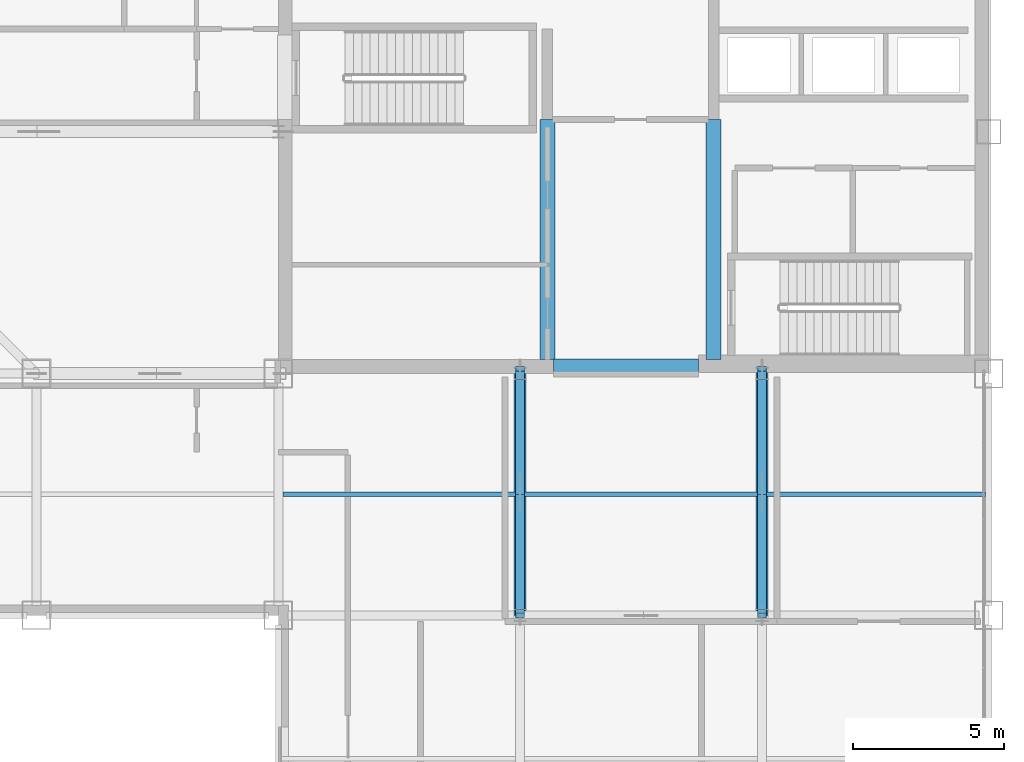
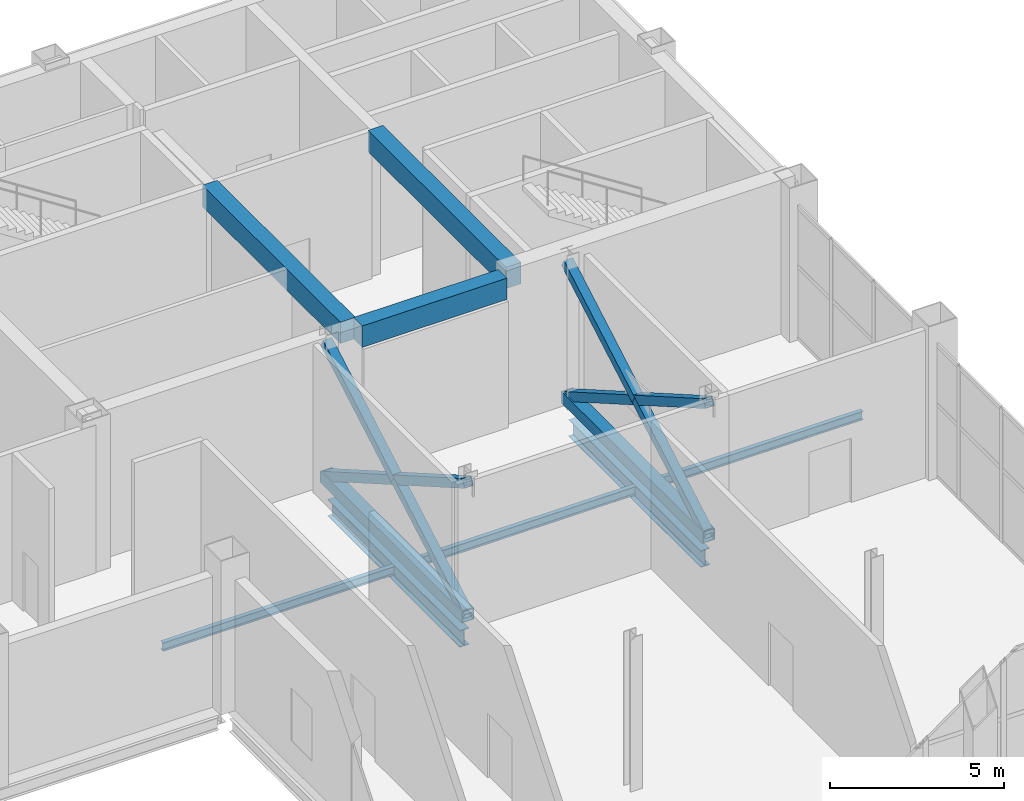
# One storey, part 13 of 23: 8 beams, 8 members.
"""IFC4 building model written with IfcOpenShell, lengths in metres."""

from ifc_helpers import new_model, si_unit, direction, frame, origin, origin_2d, place, context, subcontext, project, spatial, rectangle, hollow_rectangle, i_section, extrude, material, material_profile, profile_set, type_object, element, save


model = new_model("IFC4")

# Units and contexts
model_context = context("Model", 3, precision=1e-05, world=origin(), true_north=direction((0.0, 1.0)))
body_context = subcontext(model_context, "Body", "Model", "MODEL_VIEW")
ifc_project = project(units=[si_unit("LENGTHUNIT", "METRE"), si_unit("AREAUNIT", "SQUARE_METRE"), si_unit("VOLUMEUNIT", "CUBIC_METRE"), si_unit("PLANEANGLEUNIT", "RADIAN"), si_unit("MASSUNIT", "GRAM", prefix="KILO")], contexts=[model_context])

# Site, building, storey
site_placement = place(None, origin())
site = spatial("IfcSite", under=ifc_project, at=site_placement, CompositionType="ELEMENT")
building_placement = place(site_placement, origin())
building = spatial("IfcBuilding", under=site, at=building_placement, Name="Qianrong Seaharbour Tower", CompositionType="ELEMENT")
storey_placement = place(building_placement, frame((0.0, 0.0, 281.800048828125)))
storey = spatial("IfcBuildingStorey", under=building, at=storey_placement, Name="L68", CompositionType="ELEMENT", Elevation=281.800048828125)

# Beams
ifc_material_1 = material(Name="Structural steel SN490B", Category="steel")
ifc_material_profile_1 = material_profile(ifc_material_1, i_section(OverallWidth=0.300048828125, OverallDepth=0.587890625, WebThickness=0.011962890625, FlangeThickness=0.02001953125, FilletRadius=0.02392578125, at=origin_2d()), Name="H588x300x12x20")
ifc_profile_set_1 = profile_set([ifc_material_profile_1], Name="Structural steel SN490B")
beam_type_1 = type_object("IfcBeamType", Name="BM-G-588", PredefinedType="BEAM", material=ifc_profile_set_1)
for number, where, z_axis, x_axis, name in (
    (1, (48.5, 28.199951171875, -0.64404296875), (0.0, 1.0, 0.0), (-1.0, 0.0, 0.0), "L68 Primary Girder G7 GE-GF"),
    (2, (56.5, 28.199951171875, -0.64404296875), (0.0, 1.0, 0.0), (-1.0, 0.0, 0.0), "L68 Primary Girder G8 GE-GF"),
):
    element("IfcBeam", number, at=place(storey_placement, frame(where, z_axis=z_axis, x_axis=x_axis)), inside=storey, type_object=beam_type_1, Name=name, PredefinedType="BEAM", context=body_context, shape_type="SweptSolid", body=[
        extrude(i_section(OverallWidth=0.300048828125, OverallDepth=0.587890625, WebThickness=0.011962890625, FlangeThickness=0.02001953125, FilletRadius=0.02392578125, at=origin_2d()), origin(), (0.0, 0.0, 1.0), 7.60009765625),
    ])
ifc_material_2 = material(Name="Structural steel SN400B", Category="steel")
ifc_material_profile_2 = material_profile(ifc_material_2, i_section(OverallWidth=0.14990234375, OverallDepth=0.300048828125, WebThickness=0.006591796875, FlangeThickness=0.009033203125, FilletRadius=0.012939453125, at=origin_2d()), Name="H300x150x6.5x9")
ifc_profile_set_2 = profile_set([ifc_material_profile_2], Name="Structural steel SN400B")
beam_type_2 = type_object("IfcBeamType", Name="BM-J-300", PredefinedType="JOIST", material=ifc_profile_set_2)
for number, where, z_axis, x_axis, name in (
    (3, (40.64990234375, 32.0, -0.5), (1.0, 0.0, 0.0), (0.0, 1.0, 0.0), "L68 Composite Floor Joist G6-G7/GE-GF"),
    (4, (48.64990234375, 32.0, -0.5), (1.0, 0.0, 0.0), (0.0, 1.0, 0.0), "L68 Composite Floor Joist G7-G8/GE-GF"),
):
    element("IfcBeam", number, at=place(storey_placement, frame(where, z_axis=z_axis, x_axis=x_axis)), inside=storey, type_object=beam_type_2, Name=name, PredefinedType="JOIST", context=body_context, shape_type="SweptSolid", body=[
        extrude(i_section(OverallWidth=0.14990234375, OverallDepth=0.300048828125, WebThickness=0.006591796875, FlangeThickness=0.009033203125, FilletRadius=0.012939453125, at=origin_2d()), origin(), (0.0, 0.0, 1.0), 7.7001953125),
    ])
beam_1_placement = place(storey_placement, frame((56.64990234375, 32.0, -0.5), z_axis=(1.0, 0.0, 0.0), x_axis=(0.0, 1.0, 0.0)))
element("IfcBeam", 5, at=beam_1_placement, inside=storey, type_object=beam_type_2, Name="L68 Composite Floor Joist G8-G9/GE-GF", PredefinedType="JOIST", context=body_context, shape_type="SweptSolid", body=[
    extrude(i_section(OverallWidth=0.14990234375, OverallDepth=0.300048828125, WebThickness=0.006591796875, FlangeThickness=0.009033203125, FilletRadius=0.012939453125, at=origin_2d()), origin(), (0.0, 0.0, 1.0), 7.25),
])
ifc_material_3 = material(Name="Concrete C60/75", Category="concrete")
ifc_material_profile_3 = material_profile(ifc_material_3, rectangle(XDim=0.5, YDim=0.75, at=origin_2d()), Name="RC500x750")
ifc_profile_set_3 = profile_set([ifc_material_profile_3], Name="Concrete C60/75")
beam_type_3 = type_object("IfcBeamType", Name="BM-LINTEL-750", PredefinedType="LINTEL", material=ifc_profile_set_3)
beam_2_placement = place(storey_placement, frame((49.60009765625, 36.22998046875, 4.81005859375), z_axis=(1.0, 0.0, 0.0), x_axis=(0.0, 1.0, 0.0)))
element("IfcBeam", 6, at=beam_2_placement, inside=storey, type_object=beam_type_3, Name="L68 Core Coupling Lintel Beam CBC", PredefinedType="LINTEL", context=body_context, shape_type="SweptSolid", body=[
    extrude(rectangle(XDim=0.5, YDim=0.75, at=origin_2d()), origin(), (0.0, 0.0, 1.0), 4.7998046875),
])
for number, where, z_axis, x_axis, name in (
    (7, (49.39990234375, 36.4599609375, 4.81005859375), (0.0, 1.0, 0.0), (-1.0, 0.0, 0.0), "L68 Internal Core Coupling Beam IW1"),
    (8, (54.89990234375, 36.4599609375, 4.81005859375), (0.0, 1.0, 0.0), (-1.0, 0.0, 0.0), "L68 Internal Core Coupling Beam IW2"),
):
    element("IfcBeam", number, at=place(storey_placement, frame(where, z_axis=z_axis, x_axis=x_axis)), inside=storey, type_object=beam_type_3, Name=name, PredefinedType="LINTEL", context=body_context, shape_type="SweptSolid", body=[
        extrude(rectangle(XDim=0.5, YDim=0.75, at=origin_2d()), origin(), (0.0, 0.0, 1.0), 7.93994140625),
    ])

# Members
ifc_material_profile_4 = material_profile(ifc_material_1, hollow_rectangle(XDim=0.300048828125, YDim=0.300048828125, WallThickness=0.011962890625, at=origin_2d()), Name="SHS300x300x12")
ifc_profile_set_4 = profile_set([ifc_material_profile_4], Name="Structural steel SN490B")
member_type_1 = type_object("IfcMemberType", Name="MEM-BT-SHS300", PredefinedType="BRACE", material=ifc_profile_set_4)
member_1_placement = place(storey_placement, frame((48.5, 36.14990234375, 0.25), z_axis=(0.0, -0.866958483953, 0.498380363881), x_axis=(1.0, 0.0, 0.0)))
element("IfcMember", 9, at=member_1_placement, inside=storey, type_object=member_type_1, Name="L68 Outrigger Belt Truss Diagonal Brace OT-07", PredefinedType="BRACE", context=body_context, shape_type="SweptSolid", body=[
    extrude(hollow_rectangle(XDim=0.300048828125, YDim=0.300048828125, WallThickness=0.011962890625, at=origin_2d()), origin(), (0.0, 0.0, 1.0), 9.400634765625),
])
for number, where, z_axis, x_axis, name in (
    (10, (48.5, 36.14990234375, 4.93505859375), (0.0, -0.866958483953, -0.498380363881), (1.0, 0.0, 0.0), "L68 Outrigger Belt Truss Diagonal Brace OT-08"),
    (11, (48.5, 32.074951171875, 2.592529296875), (0.0, -0.866958483953, -0.498380363881), (1.0, 0.0, 0.0), "L68 Outrigger Belt Truss Diagonal Brace OT-09"),
):
    element("IfcMember", number, at=place(storey_placement, frame(where, z_axis=z_axis, x_axis=x_axis)), inside=storey, type_object=member_type_1, Name=name, PredefinedType="BRACE", context=body_context, shape_type="SweptSolid", body=[
        extrude(hollow_rectangle(XDim=0.300048828125, YDim=0.300048828125, WallThickness=0.011962890625, at=origin_2d()), origin(), (0.0, 0.0, 1.0), 4.7001953125),
    ])
member_2_placement = place(storey_placement, frame((56.5, 36.14990234375, 0.25), z_axis=(0.0, -0.866958483953, 0.498380363881), x_axis=(1.0, 0.0, 0.0)))
element("IfcMember", 12, at=member_2_placement, inside=storey, type_object=member_type_1, Name="L68 Outrigger Belt Truss Diagonal Brace OT-10", PredefinedType="BRACE", context=body_context, shape_type="SweptSolid", body=[
    extrude(hollow_rectangle(XDim=0.300048828125, YDim=0.300048828125, WallThickness=0.011962890625, at=origin_2d()), origin(), (0.0, 0.0, 1.0), 9.400634765625),
])
for number, where, z_axis, x_axis, name in (
    (13, (56.5, 36.14990234375, 4.93505859375), (0.0, -0.866958483953, -0.498380363881), (1.0, 0.0, 0.0), "L68 Outrigger Belt Truss Diagonal Brace OT-11"),
    (14, (56.5, 32.074951171875, 2.592529296875), (0.0, -0.866958483953, -0.498380363881), (1.0, 0.0, 0.0), "L68 Outrigger Belt Truss Diagonal Brace OT-12"),
):
    element("IfcMember", number, at=place(storey_placement, frame(where, z_axis=z_axis, x_axis=x_axis)), inside=storey, type_object=member_type_1, Name=name, PredefinedType="BRACE", context=body_context, shape_type="SweptSolid", body=[
        extrude(hollow_rectangle(XDim=0.300048828125, YDim=0.300048828125, WallThickness=0.011962890625, at=origin_2d()), origin(), (0.0, 0.0, 1.0), 4.7001953125),
    ])
ifc_material_profile_5 = material_profile(ifc_material_1, hollow_rectangle(XDim=0.39990234375, YDim=0.39990234375, WallThickness=0.02001953125, at=origin_2d()), Name="SHS400x400x20")
ifc_profile_set_5 = profile_set([ifc_material_profile_5], Name="Structural steel SN490B")
member_type_2 = type_object("IfcMemberType", Name="MEM-CHORD-400", PredefinedType="CHORD", material=ifc_profile_set_5)
for number, where, z_axis, x_axis, name in (
    (15, (48.5, 28.0, 0.25), (0.0, 1.0, 0.0), (-1.0, 0.0, 0.0), "L68 Outrigger Truss Bottom Chord G7"),
    (16, (56.5, 28.0, 0.25), (0.0, 1.0, 0.0), (-1.0, 0.0, 0.0), "L68 Outrigger Truss Bottom Chord G8"),
):
    element("IfcMember", number, at=place(storey_placement, frame(where, z_axis=z_axis, x_axis=x_axis)), inside=storey, type_object=member_type_2, Name=name, PredefinedType="CHORD", context=body_context, shape_type="SweptSolid", body=[
        extrude(hollow_rectangle(XDim=0.39990234375, YDim=0.39990234375, WallThickness=0.02001953125, at=origin_2d()), origin(), (0.0, 0.0, 1.0), 8.14990234375),
    ])

save(model, "model.ifc")
